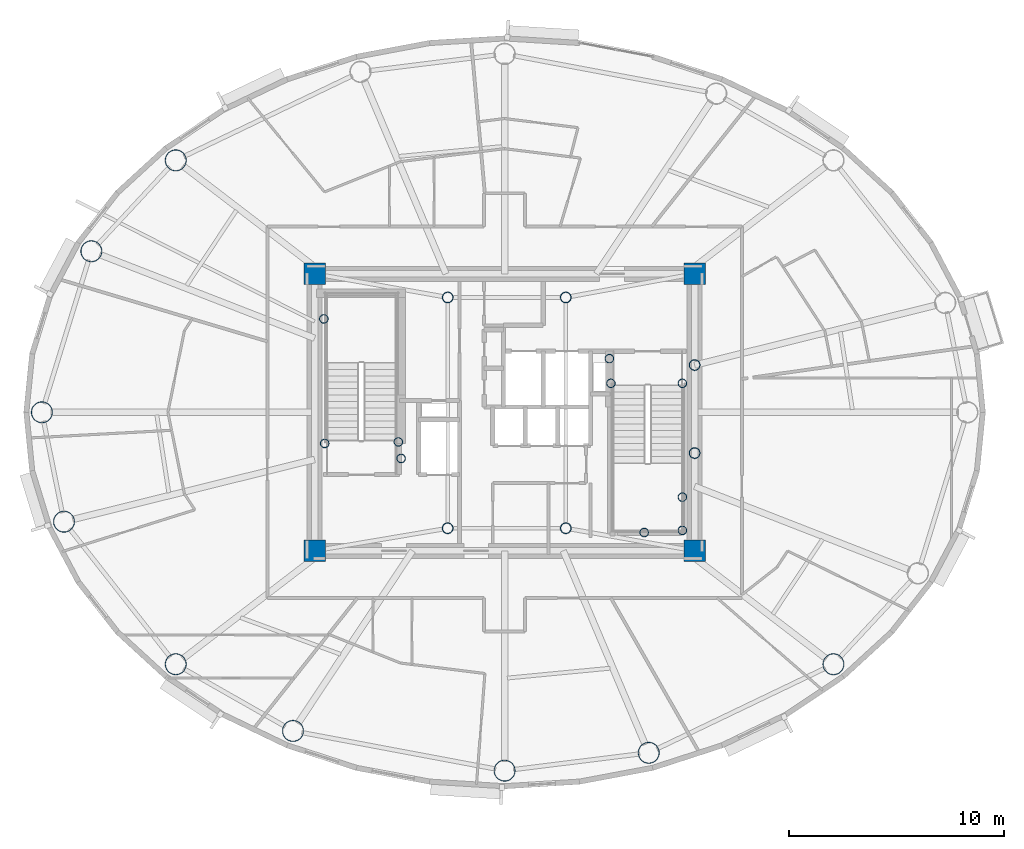
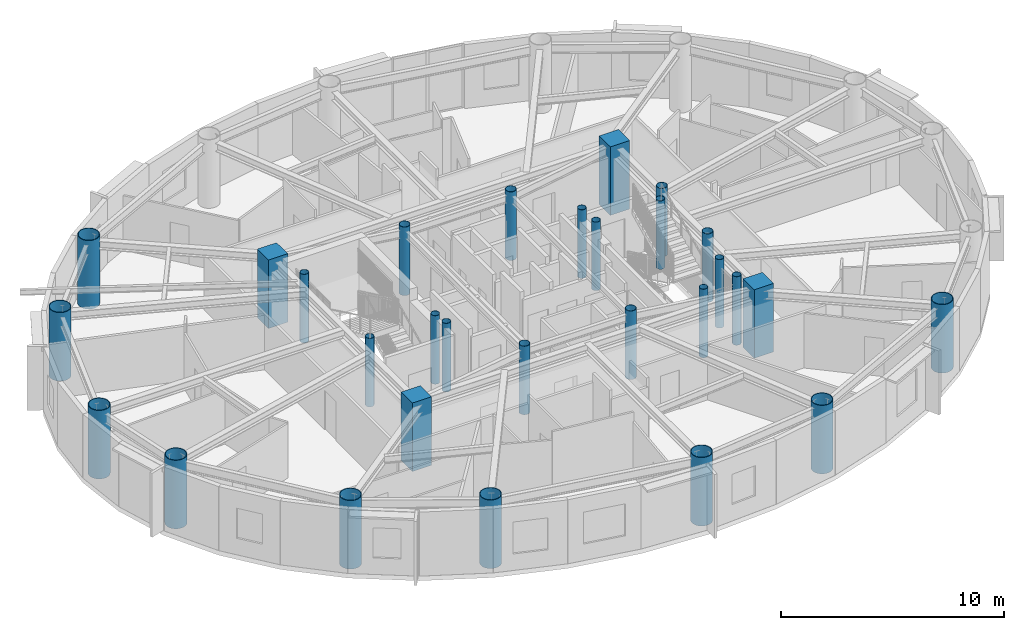
# One storey, part 1 of 17: 29 columns.
"""IFC4 building model written with IfcOpenShell, lengths in metres."""

from ifc_helpers import new_model, si_unit, direction, frame, origin, origin_2d, place, context, subcontext, project, spatial, rectangle, hollow_circle, extrude, material, material_profile, profile_set, type_object, element, save


model = new_model("IFC4")

# Units and contexts
model_context = context("Model", 3, precision=1e-05, world=origin(), true_north=direction((0.0, 1.0)))
body_context = subcontext(model_context, "Body", "Model", "MODEL_VIEW")
ifc_project = project(units=[si_unit("LENGTHUNIT", "METRE"), si_unit("AREAUNIT", "SQUARE_METRE"), si_unit("VOLUMEUNIT", "CUBIC_METRE"), si_unit("PLANEANGLEUNIT", "RADIAN"), si_unit("MASSUNIT", "GRAM", prefix="KILO")], contexts=[model_context])

# Site, building, storey
site_placement = place(None, origin())
site = spatial("IfcSite", under=ifc_project, at=site_placement, CompositionType="ELEMENT")
building_placement = place(site_placement, origin())
building = spatial("IfcBuilding", under=site, at=building_placement, Name="Linh Dai School and Residence Tower", CompositionType="ELEMENT")
storey_placement = place(building_placement, frame((0.0, 0.0, 280.5)))
storey = spatial("IfcBuildingStorey", under=building, at=storey_placement, Name="L69", CompositionType="ELEMENT", Elevation=280.5)

# Columns
ifc_material_1 = material(Name="Concrete B45 (C35/45)", Category="concrete")
ifc_material_profile_1 = material_profile(ifc_material_1, rectangle(XDim=1.0, YDim=1.0, at=origin_2d()), Name="RC 1000x1000")
ifc_profile_set_1 = profile_set([ifc_material_profile_1], Name="Concrete B45 (C35/45)")
column_type_1 = type_object("IfcColumnType", Name="COL-CC3", PredefinedType="COLUMN", material=ifc_profile_set_1)
for number, where, z_axis, x_axis, name in (
    (1, (27.14990234375, 20.550048828125, 0.0), (0.0, 0.0, 1.0), (1.0, 0.0, 0.0), "L69 Core Corner Pier CC1"),
    (2, (44.85009765625, 20.550048828125, 0.0), (0.0, 0.0, 1.0), (1.0, 0.0, 0.0), "L69 Core Corner Pier CC2"),
    (3, (44.85009765625, 33.449951171875, 0.0), (0.0, 0.0, 1.0), (1.0, 0.0, 0.0), "L69 Core Corner Pier CC3"),
    (4, (27.14990234375, 33.449951171875, 0.0), (0.0, 0.0, 1.0), (1.0, 0.0, 0.0), "L69 Core Corner Pier CC4"),
):
    element("IfcColumn", number, at=place(storey_placement, frame(where, z_axis=z_axis, x_axis=x_axis)), inside=storey, type_object=column_type_1, Name=name, PredefinedType="COLUMN", context=body_context, shape_type="SweptSolid", body=[
        extrude(rectangle(XDim=1.0, YDim=1.0, at=origin_2d()), origin(), (0.0, 0.0, 1.0), 3.75),
    ])
ifc_material_2 = material(Name="Structural Steel S355JR", Category="steel")
ifc_material_profile_2 = material_profile(ifc_material_2, hollow_circle(Radius=0.203125, WallThickness=0.01611328125, at=origin_2d()), Name="CHS 406.4x16")
ifc_profile_set_2 = profile_set([ifc_material_profile_2], Name="Structural Steel S355JR")
column_type_2 = type_object("IfcColumnType", Name="COL-EC", PredefinedType="COLUMN", material=ifc_profile_set_2)
for number, where, z_axis, x_axis, name in (
    (5, (27.580078125, 31.35009765625, 0.0), (0.0, 0.0, 1.0), (1.0, 0.0, 0.0), "L69 Stair Shaft Landing Support Pier ST1NW"),
    (6, (31.050048828125, 25.6201171875, 0.0), (0.0, 0.0, 1.0), (1.0, 0.0, 0.0), "L69 Stair Shaft Landing Support Pier ST1SE"),
    (7, (31.179931640625, 24.85009765625, 0.0), (0.0, 0.0, 1.0), (1.0, 0.0, 0.0), "L69 Stair Shaft Landing Support Pier ST1SM"),
    (8, (27.6201171875, 25.550048828125, 0.0), (0.0, 0.0, 1.0), (1.0, 0.0, 0.0), "L69 Stair Shaft Landing Support Pier ST1SW"),
    (9, (44.280029296875, 21.5, 0.0), (0.0, 0.0, 1.0), (1.0, 0.0, 0.0), "L69 Stair Shaft Landing Support Pier ST2SE"),
    (10, (44.280029296875, 23.050048828125, 0.0), (0.0, 0.0, 1.0), (1.0, 0.0, 0.0), "L69 Stair Shaft Landing Support Pier ST2NE"),
    (11, (42.5, 21.39990234375, 0.0), (0.0, 0.0, 1.0), (1.0, 0.0, 0.0), "L69 Stair Shaft Landing Support Pier ST2MS"),
    (12, (40.949951171875, 28.35009765625, 0.0), (0.0, 0.0, 1.0), (1.0, 0.0, 0.0), "L69 Stair Shaft Landing Support Pier ST2N1"),
    (13, (44.280029296875, 28.35009765625, 0.0), (0.0, 0.0, 1.0), (1.0, 0.0, 0.0), "L69 Stair Shaft Landing Support Pier ST2N2"),
    (14, (40.8798828125, 29.5, 0.0), (0.0, 0.0, 1.0), (1.0, 0.0, 0.0), "L69 Stair Shaft Landing Support Pier ST2N3"),
):
    element("IfcColumn", number, at=place(storey_placement, frame(where, z_axis=z_axis, x_axis=x_axis)), inside=storey, type_object=column_type_2, Name=name, PredefinedType="COLUMN", context=body_context, shape_type="SweptSolid", body=[
        extrude(hollow_circle(Radius=0.203125, WallThickness=0.01611328125, at=origin_2d()), origin(), (0.0, 0.0, 1.0), 3.75),
    ])
ifc_material_profile_3 = material_profile(ifc_material_2, hollow_circle(Radius=0.5, WallThickness=0.031982421875, at=origin_2d()), Name="CHS 1000x32")
ifc_profile_set_3 = profile_set([ifc_material_profile_3], Name="Structural Steel S355JR")
column_type_3 = type_object("IfcColumnType", Name="COL-MC6", PredefinedType="COLUMN", material=ifc_profile_set_3)
for number, where, z_axis, x_axis, name in (
    (15, (20.684814453125, 38.7333984375, 0.0), (0.0, 0.0, 1.0), (1.0, 0.0, 0.0), "L69 Perimeter CFT Mega-Column MC07"),
    (16, (16.75390625, 34.49951171875, 0.0), (0.0, 0.0, 1.0), (1.0, 0.0, 0.0), "L69 Perimeter CFT Mega-Column MC08"),
    (17, (14.449951171875, 27.0, 0.0), (0.0, 0.0, 1.0), (1.0, 0.0, 0.0), "L69 Perimeter CFT Mega-Column MC09"),
    (18, (15.4814453125, 21.905517578125, 0.0), (0.0, 0.0, 1.0), (1.0, 0.0, 0.0), "L69 Perimeter CFT Mega-Column MC10"),
    (19, (20.684814453125, 15.2666015625, 0.0), (0.0, 0.0, 1.0), (1.0, 0.0, 0.0), "L69 Perimeter CFT Mega-Column MC11"),
    (20, (26.1455078125, 12.1611328125, 0.0), (0.0, 0.0, 1.0), (1.0, 0.0, 0.0), "L69 Perimeter CFT Mega-Column MC12"),
    (21, (36.0, 10.31005859375, 0.0), (0.0, 0.0, 1.0), (1.0, 0.0, 0.0), "L69 Perimeter CFT Mega-Column MC13"),
    (22, (42.71240234375, 11.142333984375, 0.0), (0.0, 0.0, 1.0), (1.0, 0.0, 0.0), "L69 Perimeter CFT Mega-Column MC14"),
    (23, (51.315185546875, 15.2666015625, 0.0), (0.0, 0.0, 1.0), (1.0, 0.0, 0.0), "L69 Perimeter CFT Mega-Column MC15"),
):
    element("IfcColumn", number, at=place(storey_placement, frame(where, z_axis=z_axis, x_axis=x_axis)), inside=storey, type_object=column_type_3, Name=name, PredefinedType="COLUMN", context=body_context, shape_type="SweptSolid", body=[
        extrude(hollow_circle(Radius=0.5, WallThickness=0.031982421875, at=origin_2d()), origin(), (0.0, 0.0, 1.0), 3.75),
    ])
ifc_material_profile_4 = material_profile(ifc_material_2, hollow_circle(Radius=0.25390625, WallThickness=0.02001953125, at=origin_2d()), Name="CHS 508x20")
ifc_profile_set_4 = profile_set([ifc_material_profile_4], Name="Structural Steel S355JR")
column_type_4 = type_object("IfcColumnType", Name="COL-MCP", PredefinedType="COLUMN", material=ifc_profile_set_4)
for number, where, z_axis, x_axis, name in (
    (24, (33.35009765625, 21.60009765625, 0.0), (0.0, 0.0, 1.0), (1.0, 0.0, 0.0), "L69 Core Mast Support Pier MCP1"),
    (25, (38.85009765625, 21.60009765625, 0.0), (0.0, 0.0, 1.0), (1.0, 0.0, 0.0), "L69 Core Mast Support Pier MCP2"),
    (26, (38.85009765625, 32.35009765625, 0.0), (0.0, 0.0, 1.0), (1.0, 0.0, 0.0), "L69 Core Mast Support Pier MCP3"),
    (27, (33.35009765625, 32.35009765625, 0.0), (0.0, 0.0, 1.0), (1.0, 0.0, 0.0), "L69 Core Mast Support Pier MCP4"),
    (28, (44.85009765625, 25.10009765625, 0.0), (0.0, 0.0, 1.0), (1.0, 0.0, 0.0), "L69 Sky-Lounge Core Anchor Pier S"),
    (29, (44.85009765625, 29.199951171875, 0.0), (0.0, 0.0, 1.0), (1.0, 0.0, 0.0), "L69 Sky-Lounge Core Anchor Pier N"),
):
    element("IfcColumn", number, at=place(storey_placement, frame(where, z_axis=z_axis, x_axis=x_axis)), inside=storey, type_object=column_type_4, Name=name, PredefinedType="COLUMN", context=body_context, shape_type="SweptSolid", body=[
        extrude(hollow_circle(Radius=0.25390625, WallThickness=0.02001953125, at=origin_2d()), origin(), (0.0, 0.0, 1.0), 3.75),
    ])

save(model, "model.ifc")
